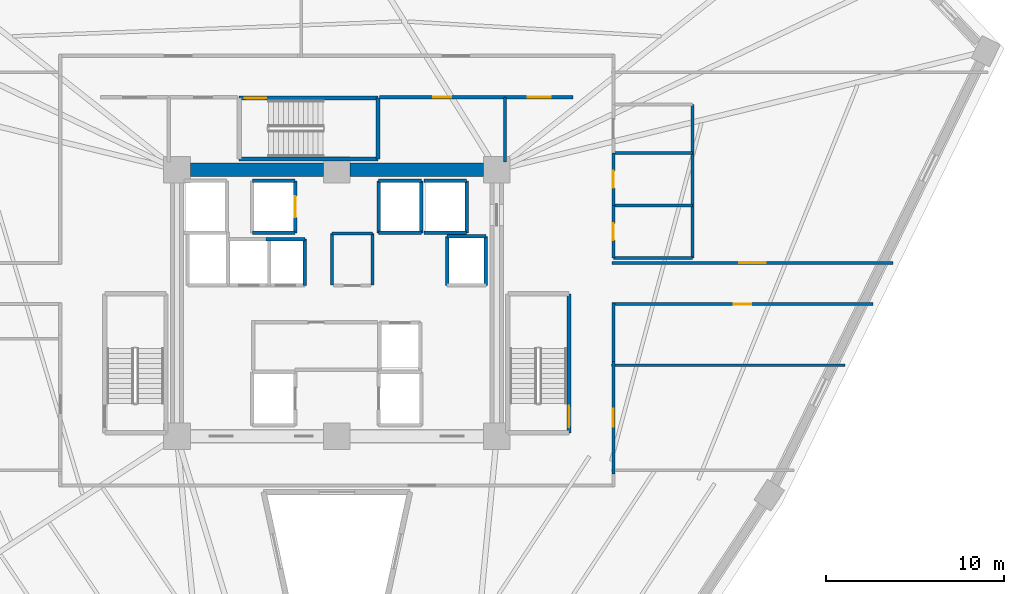
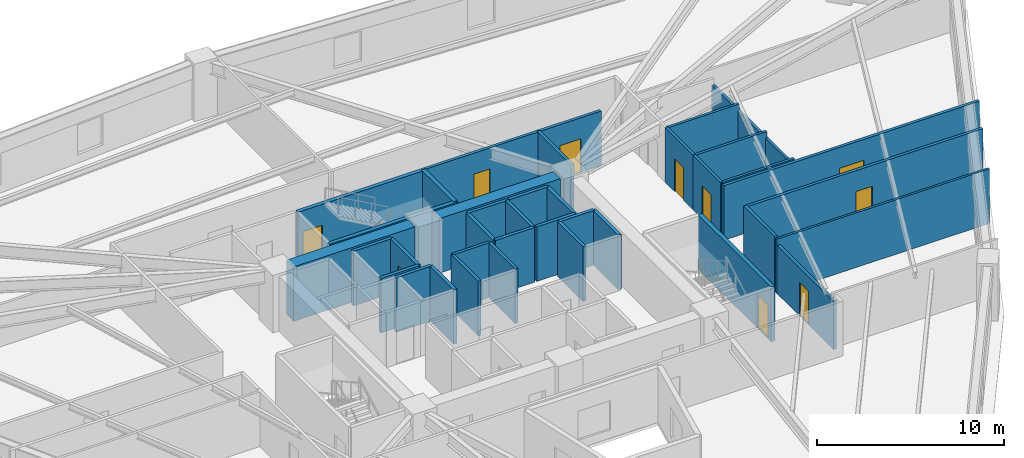
# One storey, part 5 of 7: 38 walls, 10 doors, 10 openings.
"""IFC4 building model written with IfcOpenShell, lengths in metres."""

from ifc_helpers import new_model, si_unit, direction, frame, frame_2d, origin, place, context, subcontext, project, spatial, rectangle, extrude, source, transform, mapped, material, layer, layer_set, type_object, element, fill, save


model = new_model("IFC4")

# Units and contexts
model_context = context("Model", 3, precision=1e-05, world=origin(), true_north=direction((0.0, 1.0)))
body_context = subcontext(model_context, "Body", "Model", "MODEL_VIEW")
ifc_project = project(units=[si_unit("LENGTHUNIT", "METRE"), si_unit("AREAUNIT", "SQUARE_METRE"), si_unit("VOLUMEUNIT", "CUBIC_METRE"), si_unit("PLANEANGLEUNIT", "RADIAN"), si_unit("MASSUNIT", "GRAM", prefix="KILO")], contexts=[model_context])

# Site, building, storey
site_placement = place(None, origin())
site = spatial("IfcSite", under=ifc_project, at=site_placement, CompositionType="ELEMENT")
building_placement = place(site_placement, origin())
building = spatial("IfcBuilding", under=site, at=building_placement, Name="Liaohun Quay Tower", CompositionType="ELEMENT")
storey_placement = place(building_placement, frame((0.0, 0.0, 117.0)))
storey = spatial("IfcBuildingStorey", under=building, at=storey_placement, Name="L30", CompositionType="ELEMENT", Elevation=117.0)

# Walls
ifc_material_1 = material(Name="Concrete C60", Category="concrete")
ifc_layer_1 = layer(ifc_material_1, 0.75, Name="Concrete C60", Category="concrete")
ifc_layer_set_1 = layer_set([ifc_layer_1], Name="Concrete C60")
wall_type_1 = type_object("IfcWallType", Name="WAL-COR-Z2", PredefinedType="SHEAR", material=ifc_layer_set_1)
for number, where, z_axis, x_axis, name in (
    (1, (51.75, 61.5, 0.0), (0.0, 0.0, 1.0), (1.0, 0.0, 0.0), "L30 Central Core Shear Wall N-W"),
    (2, (60.75, 61.5, 0.0), (0.0, 0.0, 1.0), (1.0, 0.0, 0.0), "L30 Central Core Shear Wall N-E"),
):
    element("IfcWall", number, at=place(storey_placement, frame(where, z_axis=z_axis, x_axis=x_axis)), inside=storey, type_object=wall_type_1, Name=name, PredefinedType="SHEAR", context=body_context, shape_type="SweptSolid", body=[
        extrude(rectangle(XDim=7.5, YDim=0.75, at=frame_2d((3.75, 0.0))), origin(), (0.0, 0.0, 1.0), 3.570068359375),
    ])

# Wall, opening, door
ifc_material_2 = material(Name="Autoclaved aerated concrete blockwork", Category="masonry")
ifc_layer_2 = layer(ifc_material_2, 0.179931640625, Name="Autoclaved aerated concrete blockwork", Category="masonry")
ifc_layer_set_2 = layer_set([ifc_layer_2], Name="Autoclaved aerated concrete blockwork")
wall_type_2 = type_object("IfcWallType", Name="WAL-PRT-COR", PredefinedType="PARTITIONING", material=ifc_layer_set_2)
wall_1_placement = place(storey_placement, frame((62.389892578125, 65.580078125, 0.0), z_axis=(0.0, 0.0, 1.0), x_axis=(1.0, 0.0, 0.0)))
wall_1 = element("IfcWall", 3, at=wall_1_placement, inside=storey, type_object=wall_type_2, Name="L30 Interior Partition Wall 007", PredefinedType="PARTITIONING", context=body_context, shape_type="SweptSolid", body=[
    extrude(rectangle(XDim=7.070068359375, YDim=0.179931640625, at=frame_2d((3.53515625, 0.0))), origin(), (0.0, 0.0, 1.0), 3.570068359375),
])
shared_shape_1 = source(origin(), body_context, "Body", "SweptSolid", [
    extrude(rectangle(XDim=1.0, YDim=2.199951171875, at=frame_2d((0.5, 1.10009765625))), frame((0.0, 0.099853515625, 0.0), z_axis=(0.0, -1.0, 0.0), x_axis=(1.0, 0.0, 0.0)), (0.0, 0.0, 1.0), 0.199951171875),
])
opening_1_placement = place(wall_1_placement, frame((3.034912109375, 0.0, 0.0)))
opening_1 = element("IfcOpeningElement", 4, at=opening_1_placement, cuts=wall_1, Name="Opening OD1", PredefinedType="OPENING", context=body_context, shape_type="MappedRepresentation", body=[
    mapped(shared_shape_1, transform((0.0, 0.0, 0.0), x_axis=(1.0, 0.0, 0.0), y_axis=(0.0, 1.0, 0.0), z_axis=(0.0, 0.0, 1.0), scale=1.0)),
])
ifc_material_3 = material(Name="Solid-core oak veneer timber leaf in steel frame", Category="steel")
door_type_1 = type_object("IfcDoorType", Name="DOR-OFF-1000", OperationType="NOTDEFINED", PredefinedType="DOOR", material=ifc_material_3)
shared_shape_2 = source(origin(), body_context, "Body", "SweptSolid", [
    extrude(rectangle(XDim=1.0, YDim=2.199951171875, at=frame_2d((0.5, 1.10009765625))), frame((0.0, 0.02490234375, 0.0), z_axis=(0.0, -1.0, 0.0), x_axis=(1.0, 0.0, 0.0)), (0.0, 0.0, 1.0), 0.050048828125),
])
door_1_placement = place(opening_1_placement, origin())
door_1 = element("IfcDoor", 5, at=door_1_placement, inside=storey, type_object=door_type_1, Name="L30 North-East Archive and Mail Room Door", OperationType="SINGLE_SWING_RIGHT", OverallHeight=2.199951171875, OverallWidth=1.0, PredefinedType="DOOR", context=body_context, shape_type="MappedRepresentation", body=[
    mapped(shared_shape_2, transform((0.0, 0.0, 0.0), x_axis=(1.0, 0.0, 0.0), y_axis=(0.0, 1.0, 0.0), z_axis=(0.0, 0.0, 1.0), scale=1.0)),
])
fill(opening_1, door_1)

wall_2_placement = place(storey_placement, frame((69.4599609375, 65.580078125, 0.0), z_axis=(0.0, 0.0, 1.0), x_axis=(1.0, 0.0, 0.0)))
wall_2 = element("IfcWall", 6, at=wall_2_placement, inside=storey, type_object=wall_type_2, Name="L30 Interior Partition Wall 009", PredefinedType="PARTITIONING", context=body_context, shape_type="SweptSolid", body=[
    extrude(rectangle(XDim=3.840087890625, YDim=0.179931640625, at=frame_2d((1.919921875, 0.0))), origin(), (0.0, 0.0, 1.0), 3.570068359375),
])
shared_shape_3 = source(origin(), body_context, "Body", "SweptSolid", [
    extrude(rectangle(XDim=1.300048828125, YDim=2.199951171875, at=frame_2d((0.64990234375, 1.10009765625))), frame((0.0, 0.099853515625, 0.0), z_axis=(0.0, -1.0, 0.0), x_axis=(1.0, 0.0, 0.0)), (0.0, 0.0, 1.0), 0.199951171875),
])
opening_2_placement = place(wall_2_placement, frame((1.27001953125, 0.0, 0.0)))
opening_2 = element("IfcOpeningElement", 7, at=opening_2_placement, cuts=wall_2, Name="Opening FD1", PredefinedType="OPENING", context=body_context, shape_type="MappedRepresentation", body=[
    mapped(shared_shape_3, transform((0.0, 0.0, 0.0), x_axis=(1.0, 0.0, 0.0), y_axis=(0.0, 1.0, 0.0), z_axis=(0.0, 0.0, 1.0), scale=1.0)),
])
ifc_material_4 = material(Name="Galvanised steel smokeproof fire door", Category="steel")
door_type_2 = type_object("IfcDoorType", Name="DOR-FFL-1300", OperationType="NOTDEFINED", PredefinedType="DOOR", material=ifc_material_4)
shared_shape_4 = source(origin(), body_context, "Body", "SweptSolid", [
    extrude(rectangle(XDim=1.300048828125, YDim=2.199951171875, at=frame_2d((0.64990234375, 1.10009765625))), frame((0.0, 0.02490234375, 0.0), z_axis=(0.0, -1.0, 0.0), x_axis=(1.0, 0.0, 0.0)), (0.0, 0.0, 1.0), 0.050048828125),
])
door_2_placement = place(opening_2_placement, origin())
door_2 = element("IfcDoor", 8, at=door_2_placement, inside=storey, type_object=door_type_2, Name="L30 East Core Vestibule Door", OperationType="SINGLE_SWING_RIGHT", OverallHeight=2.199951171875, OverallWidth=1.300048828125, PredefinedType="DOOR", context=body_context, shape_type="MappedRepresentation", body=[
    mapped(shared_shape_4, transform((0.0, 0.0, 0.0), x_axis=(1.0, 0.0, 0.0), y_axis=(0.0, 1.0, 0.0), z_axis=(0.0, 0.0, 1.0), scale=1.0)),
])
fill(opening_2, door_2)

wall_3_placement = place(storey_placement, frame((75.489990234375, 56.260009765625, 0.0), z_axis=(0.0, 0.0, 1.0), x_axis=(1.0, 0.0, 0.0)))
wall_3 = element("IfcWall", 9, at=wall_3_placement, inside=storey, type_object=wall_type_2, Name="L30 Interior Partition Wall 010", PredefinedType="PARTITIONING", context=body_context, shape_type="SweptSolid", body=[
    extrude(rectangle(XDim=15.81103515625, YDim=0.179931640625, at=frame_2d((7.905517578125, 0.0))), origin(), (0.0, 0.0, 1.0), 3.570068359375),
])
shared_shape_5 = source(origin(), body_context, "Body", "SweptSolid", [
    extrude(rectangle(XDim=1.5, YDim=2.199951171875, at=frame_2d((0.75, 1.10009765625))), frame((0.0, 0.099853515625, 0.0), z_axis=(0.0, -1.0, 0.0), x_axis=(1.0, 0.0, 0.0)), (0.0, 0.0, 1.0), 0.199951171875),
])
opening_3_placement = place(wall_3_placement, frame((7.156005859375, 0.0, 0.0)))
opening_3 = element("IfcOpeningElement", 10, at=opening_3_placement, cuts=wall_3, Name="Opening OD2", PredefinedType="OPENING", context=body_context, shape_type="MappedRepresentation", body=[
    mapped(shared_shape_5, transform((0.0, 0.0, 0.0), x_axis=(1.0, 0.0, 0.0), y_axis=(0.0, 1.0, 0.0), z_axis=(0.0, 0.0, 1.0), scale=1.0)),
])
ifc_material_5 = material(Name="Acoustic oak veneer double door")
door_type_3 = type_object("IfcDoorType", Name="DOR-OFF-1500", OperationType="DOUBLE_DOOR_SINGLE_SWING", PredefinedType="DOOR", material=ifc_material_5)
shared_shape_6 = source(origin(), body_context, "Body", "SweptSolid", [
    extrude(rectangle(XDim=1.5, YDim=2.199951171875, at=frame_2d((0.75, 1.10009765625))), frame((0.0, 0.02490234375, 0.0), z_axis=(0.0, -1.0, 0.0), x_axis=(1.0, 0.0, 0.0)), (0.0, 0.0, 1.0), 0.050048828125),
])
door_3_placement = place(opening_3_placement, origin())
door_3 = element("IfcDoor", 11, at=door_3_placement, inside=storey, type_object=door_type_3, Name="L30 Technical Reference Library 01 Door", OperationType="DOUBLE_DOOR_SINGLE_SWING", OverallHeight=2.199951171875, OverallWidth=1.5, PredefinedType="DOOR", context=body_context, shape_type="MappedRepresentation", body=[
    mapped(shared_shape_6, transform((0.0, 0.0, 0.0), x_axis=(1.0, 0.0, 0.0), y_axis=(0.0, 1.0, 0.0), z_axis=(0.0, 0.0, 1.0), scale=1.0)),
])
fill(opening_3, door_3)

wall_4_placement = place(storey_placement, frame((75.56005859375, 50.715087890625, 0.0), z_axis=(0.0, 0.0, 1.0), x_axis=(0.0, -1.0, 0.0)))
wall_4 = element("IfcWall", 12, at=wall_4_placement, inside=storey, type_object=wall_type_2, Name="L30 Interior Partition Wall 017", PredefinedType="PARTITIONING", context=body_context, shape_type="SweptSolid", body=[
    extrude(rectangle(XDim=6.330078125, YDim=0.179931640625, at=frame_2d((3.1650390625, 0.0))), origin(), (0.0, 0.0, 1.0), 3.155029296875),
])
opening_4_placement = place(wall_4_placement, frame((2.6650390625, 0.0, 0.0)))
opening_4 = element("IfcOpeningElement", 13, at=opening_4_placement, cuts=wall_4, Name="Opening OD1", PredefinedType="OPENING", context=body_context, shape_type="MappedRepresentation", body=[
    mapped(shared_shape_1, transform((0.0, 0.0, 0.0), x_axis=(1.0, 0.0, 0.0), y_axis=(0.0, 1.0, 0.0), z_axis=(0.0, 0.0, 1.0), scale=1.0)),
])
door_4_placement = place(opening_4_placement, origin())
door_4 = element("IfcDoor", 14, at=door_4_placement, inside=storey, type_object=door_type_1, Name="L30 Staff Daycare Nursery 08 Door", OperationType="SINGLE_SWING_RIGHT", OverallHeight=2.199951171875, OverallWidth=1.0, PredefinedType="DOOR", context=body_context, shape_type="MappedRepresentation", body=[
    mapped(shared_shape_2, transform((0.0, 0.0, 0.0), x_axis=(1.0, 0.0, 0.0), y_axis=(0.0, 1.0, 0.0), z_axis=(0.0, 0.0, 1.0), scale=1.0)),
])
fill(opening_4, door_4)

wall_5_placement = place(storey_placement, frame((90.1689453125, 53.93994140625, 0.0), z_axis=(0.0, 0.0, 1.0), x_axis=(-1.0, 0.0, 0.0)))
wall_5 = element("IfcWall", 15, at=wall_5_placement, inside=storey, type_object=wall_type_2, Name="L30 Interior Partition Wall 018", PredefinedType="PARTITIONING", context=body_context, shape_type="SweptSolid", body=[
    extrude(rectangle(XDim=14.678955078125, YDim=0.179931640625, at=frame_2d((7.33935546875, 0.0))), origin(), (0.0, 0.0, 1.0), 3.570068359375),
])
opening_5_placement = place(wall_5_placement, frame((6.840087890625, 0.0, 0.0)))
opening_5 = element("IfcOpeningElement", 16, at=opening_5_placement, cuts=wall_5, Name="Opening OD1", PredefinedType="OPENING", context=body_context, shape_type="MappedRepresentation", body=[
    mapped(shared_shape_1, transform((0.0, 0.0, 0.0), x_axis=(1.0, 0.0, 0.0), y_axis=(0.0, 1.0, 0.0), z_axis=(0.0, 0.0, 1.0), scale=1.0)),
])
door_5_placement = place(opening_5_placement, origin())
door_5 = element("IfcDoor", 17, at=door_5_placement, inside=storey, type_object=door_type_1, Name="L30 Records Archive Store 09 Door", OperationType="SINGLE_SWING_LEFT", OverallHeight=2.199951171875, OverallWidth=1.0, PredefinedType="DOOR", context=body_context, shape_type="MappedRepresentation", body=[
    mapped(shared_shape_2, transform((0.0, 0.0, 0.0), x_axis=(1.0, 0.0, 0.0), y_axis=(0.0, 1.0, 0.0), z_axis=(0.0, 0.0, 1.0), scale=1.0)),
])
fill(opening_5, door_5)

# Walls
for number, where, z_axis, x_axis, name in (
    (18, (59.719970703125, 55.02001953125, 0.0), (0.0, 0.0, 1.0), (0.0, 1.0, 0.0), "L30 Interior Partition Wall 019"),
    (19, (62.010009765625, 55.02001953125, 0.0), (0.0, 0.0, 1.0), (0.0, 1.0, 0.0), "L30 Interior Partition Wall 020"),
):
    element("IfcWall", number, at=place(storey_placement, frame(where, z_axis=z_axis, x_axis=x_axis)), inside=storey, type_object=wall_type_2, Name=name, PredefinedType="PARTITIONING", context=body_context, shape_type="SweptSolid", body=[
        extrude(rectangle(XDim=2.8798828125, YDim=0.179931640625, at=frame_2d((1.43994140625, 0.0))), origin(), (0.0, 0.0, 1.0), 3.570068359375),
    ])
wall_6_placement = place(storey_placement, frame((59.719970703125, 57.919921875, 0.0), z_axis=(0.0, 0.0, 1.0), x_axis=(1.0, 0.0, 0.0)))
element("IfcWall", 20, at=wall_6_placement, inside=storey, type_object=wall_type_2, Name="L30 Interior Partition Wall 021", PredefinedType="PARTITIONING", context=body_context, shape_type="SweptSolid", body=[
    extrude(rectangle(XDim=2.2900390625, YDim=0.179931640625, at=frame_2d((1.14501953125, 0.0))), origin(), (0.0, 0.0, 1.0), 3.570068359375),
])
wall_7_placement = place(storey_placement, frame((69.4599609375, 61.949951171875, 0.0), z_axis=(0.0, 0.0, 1.0), x_axis=(0.0, 1.0, 0.0)))
element("IfcWall", 21, at=wall_7_placement, inside=storey, type_object=wall_type_2, Name="L30 Interior Partition Wall 028", PredefinedType="PARTITIONING", context=body_context, shape_type="SweptSolid", body=[
    extrude(rectangle(XDim=3.630126953125, YDim=0.179931640625, at=frame_2d((1.81494140625, 0.0))), origin(), (0.0, 0.0, 1.0), 3.570068359375),
])
wall_8_placement = place(storey_placement, frame((75.56005859375, 54.010009765625, 0.0), z_axis=(0.0, 0.0, 1.0), x_axis=(0.0, -1.0, 0.0)))
element("IfcWall", 22, at=wall_8_placement, inside=storey, type_object=wall_type_2, Name="L30 Interior Partition Wall 036", PredefinedType="PARTITIONING", context=body_context, shape_type="SweptSolid", body=[
    extrude(rectangle(XDim=3.294921875, YDim=0.179931640625, at=frame_2d((1.6474609375, 0.0))), origin(), (0.0, 0.0, 1.0), 3.570068359375),
])
ifc_material_6 = material(Name="Gypsum board on twin steel studs", Category="steel")
ifc_layer_3 = layer(ifc_material_6, 0.139892578125, Name="Gypsum board on twin steel studs", Category="steel")
ifc_layer_set_3 = layer_set([ifc_layer_3], Name="Gypsum board on twin steel studs")
wall_type_3 = type_object("IfcWallType", Name="WAL-PRT-OFF", PredefinedType="PARTITIONING", material=ifc_layer_set_3)
wall_9_placement = place(storey_placement, frame((75.4599609375, 50.5, 0.0), z_axis=(0.0, 0.0, 1.0), x_axis=(1.0, 0.0, 0.0)))
element("IfcWall", 23, at=wall_9_placement, inside=storey, type_object=wall_type_3, Name="L30 Interior Partition Wall 041", PredefinedType="PARTITIONING", context=body_context, shape_type="SweptSolid", body=[
    extrude(rectangle(XDim=13.137939453125, YDim=0.139892578125, at=frame_2d((6.56884765625, 0.0))), origin(), (0.0, 0.0, 1.0), 3.570068359375),
])

# Wall, opening, door
ifc_material_7 = material(Name="Moisture-resistant masonry blockwork", Category="masonry")
ifc_layer_4 = layer(ifc_material_7, 0.159912109375, Name="Moisture-resistant masonry blockwork", Category="masonry")
ifc_layer_set_4 = layer_set([ifc_layer_4], Name="Moisture-resistant masonry blockwork")
wall_type_4 = type_object("IfcWallType", Name="WAL-PRT-WET", PredefinedType="PARTITIONING", material=ifc_layer_set_4)
wall_10_placement = place(storey_placement, frame((75.56005859375, 56.5400390625, 0.0), z_axis=(0.0, 0.0, 1.0), x_axis=(0.0, 1.0, 0.0)))
wall_10 = element("IfcWall", 24, at=wall_10_placement, inside=storey, type_object=wall_type_4, Name="L30 Interior Partition Wall 003", PredefinedType="PARTITIONING", context=body_context, shape_type="SweptSolid", body=[
    extrude(rectangle(XDim=2.93994140625, YDim=0.159912109375, at=frame_2d((1.469970703125, 0.0))), origin(), (0.0, 0.0, 1.0), 3.570068359375),
])
shared_shape_7 = source(origin(), body_context, "Body", "SweptSolid", [
    extrude(rectangle(XDim=0.949951171875, YDim=2.14990234375, at=frame_2d((0.47509765625, 1.074951171875))), frame((0.0, 0.08984375, 0.0), z_axis=(0.0, -1.0, 0.0), x_axis=(1.0, 0.0, 0.0)), (0.0, 0.0, 1.0), 0.179931640625),
])
opening_6_placement = place(wall_10_placement, frame((0.9951171875, 0.0, 0.0)))
opening_6 = element("IfcOpeningElement", 25, at=opening_6_placement, cuts=wall_10, Name="Opening WD1", PredefinedType="OPENING", context=body_context, shape_type="MappedRepresentation", body=[
    mapped(shared_shape_7, transform((0.0, 0.0, 0.0), x_axis=(1.0, 0.0, 0.0), y_axis=(0.0, 1.0, 0.0), z_axis=(0.0, 0.0, 1.0), scale=1.0)),
])
ifc_material_8 = material(Name="Moisture-resistant laminate timber leaf", Category="wood")
door_type_4 = type_object("IfcDoorType", Name="DOR-WC-950", OperationType="NOTDEFINED", PredefinedType="DOOR", material=ifc_material_8)
shared_shape_8 = source(origin(), body_context, "Body", "SweptSolid", [
    extrude(rectangle(XDim=0.949951171875, YDim=2.14990234375, at=frame_2d((0.47509765625, 1.074951171875))), frame((0.0, 0.02490234375, 0.0), z_axis=(0.0, -1.0, 0.0), x_axis=(1.0, 0.0, 0.0)), (0.0, 0.0, 1.0), 0.050048828125),
])
door_6_placement = place(opening_6_placement, origin())
door_6 = element("IfcDoor", 26, at=door_6_placement, inside=storey, type_object=door_type_4, Name="L30 Male Restroom WC Door", OperationType="SINGLE_SWING_RIGHT", OverallHeight=2.14990234375, OverallWidth=0.949951171875, PredefinedType="DOOR", context=body_context, shape_type="MappedRepresentation", body=[
    mapped(shared_shape_8, transform((0.0, 0.0, 0.0), x_axis=(1.0, 0.0, 0.0), y_axis=(0.0, 1.0, 0.0), z_axis=(0.0, 0.0, 1.0), scale=1.0)),
])
fill(opening_6, door_6)

wall_11_placement = place(storey_placement, frame((75.56005859375, 59.47998046875, 0.0), z_axis=(0.0, 0.0, 1.0), x_axis=(0.0, 1.0, 0.0)))
wall_11 = element("IfcWall", 27, at=wall_11_placement, inside=storey, type_object=wall_type_4, Name="L30 Interior Partition Wall 004", PredefinedType="PARTITIONING", context=body_context, shape_type="SweptSolid", body=[
    extrude(rectangle(XDim=2.9599609375, YDim=0.159912109375, at=frame_2d((1.47998046875, 0.0))), origin(), (0.0, 0.0, 1.0), 3.570068359375),
])
opening_7_placement = place(wall_11_placement, frame((1.0048828125, 0.0, 0.0)))
opening_7 = element("IfcOpeningElement", 28, at=opening_7_placement, cuts=wall_11, Name="Opening WD1", PredefinedType="OPENING", context=body_context, shape_type="MappedRepresentation", body=[
    mapped(shared_shape_7, transform((0.0, 0.0, 0.0), x_axis=(1.0, 0.0, 0.0), y_axis=(0.0, 1.0, 0.0), z_axis=(0.0, 0.0, 1.0), scale=1.0)),
])
door_7_placement = place(opening_7_placement, origin())
door_7 = element("IfcDoor", 29, at=door_7_placement, inside=storey, type_object=door_type_4, Name="L30 Female Restroom WC Door", OperationType="SINGLE_SWING_LEFT", OverallHeight=2.14990234375, OverallWidth=0.949951171875, PredefinedType="DOOR", context=body_context, shape_type="MappedRepresentation", body=[
    mapped(shared_shape_8, transform((0.0, 0.0, 0.0), x_axis=(1.0, 0.0, 0.0), y_axis=(0.0, 1.0, 0.0), z_axis=(0.0, 0.0, 1.0), scale=1.0)),
])
fill(opening_7, door_7)

# Walls
wall_12_placement = place(storey_placement, frame((80.02001953125, 56.5400390625, 0.0), z_axis=(0.0, 0.0, 1.0), x_axis=(0.0, 1.0, 0.0)))
element("IfcWall", 30, at=wall_12_placement, inside=storey, type_object=wall_type_4, Name="L30 Interior Partition Wall 022", PredefinedType="PARTITIONING", context=body_context, shape_type="SweptSolid", body=[
    extrude(rectangle(XDim=8.639892578125, YDim=0.159912109375, at=frame_2d((4.31982421875, 0.0))), origin(), (0.0, 0.0, 1.0), 3.155029296875),
])
for number, where, z_axis, x_axis, name in (
    (31, (75.56005859375, 56.5400390625, 0.0), (0.0, 0.0, 1.0), (1.0, 0.0, 0.0), "L30 Interior Partition Wall 023"),
    (32, (75.56005859375, 59.47998046875, 0.0), (0.0, 0.0, 1.0), (1.0, 0.0, 0.0), "L30 Interior Partition Wall 024"),
    (33, (75.56005859375, 62.43994140625, 0.0), (0.0, 0.0, 1.0), (1.0, 0.0, 0.0), "L30 Interior Partition Wall 025"),
):
    element("IfcWall", number, at=place(storey_placement, frame(where, z_axis=z_axis, x_axis=x_axis)), inside=storey, type_object=wall_type_4, Name=name, PredefinedType="PARTITIONING", context=body_context, shape_type="SweptSolid", body=[
        extrude(rectangle(XDim=4.4599609375, YDim=0.159912109375, at=frame_2d((2.22998046875, 0.0))), origin(), (0.0, 0.0, 1.0), 3.570068359375),
    ])

# Wall, opening, door
ifc_material_9 = material(Name="Concrete C50", Category="concrete")
ifc_layer_5 = layer(ifc_material_9, 0.239990234375, Name="Concrete C50", Category="concrete")
ifc_layer_set_5 = layer_set([ifc_layer_5], Name="Concrete C50")
wall_type_5 = type_object("IfcWallType", Name="WAL-SHF-200", PredefinedType="SOLIDWALL", material=ifc_layer_set_5)
wall_13_placement = place(storey_placement, frame((73.06005859375, 46.699951171875, 0.0), z_axis=(0.0, 0.0, 1.0), x_axis=(0.0, 1.0, 0.0)))
wall_13 = element("IfcWall", 34, at=wall_13_placement, inside=storey, type_object=wall_type_5, Name="L30 Stairwell ST-2 Structural Core Wall E", PredefinedType="SOLIDWALL", context=body_context, shape_type="SweptSolid", body=[
    extrude(rectangle(XDim=7.820068359375, YDim=0.239990234375, at=frame_2d((3.91015625, 0.0))), origin(), (0.0, 0.0, 1.0), 3.570068359375),
])
shared_shape_9 = source(origin(), body_context, "Body", "SweptSolid", [
    extrude(rectangle(XDim=1.199951171875, YDim=2.199951171875, at=frame_2d((0.60009765625, 1.10009765625))), frame((0.0, 0.1298828125, 0.0), z_axis=(0.0, -1.0, 0.0), x_axis=(1.0, 0.0, 0.0)), (0.0, 0.0, 1.0), 0.260009765625),
])
opening_8_placement = place(wall_13_placement, frame((0.320068359375, 0.0, 0.0)))
opening_8 = element("IfcOpeningElement", 35, at=opening_8_placement, cuts=wall_13, Name="Opening SD1", PredefinedType="OPENING", context=body_context, shape_type="MappedRepresentation", body=[
    mapped(shared_shape_9, transform((0.0, 0.0, 0.0), x_axis=(1.0, 0.0, 0.0), y_axis=(0.0, 1.0, 0.0), z_axis=(0.0, 0.0, 1.0), scale=1.0)),
])
ifc_material_10 = material(Name="Galvanised steel fire door", Category="steel")
door_type_5 = type_object("IfcDoorType", Name="DOR-STR-1200", OperationType="NOTDEFINED", PredefinedType="DOOR", material=ifc_material_10)
shared_shape_10 = source(origin(), body_context, "Body", "SweptSolid", [
    extrude(rectangle(XDim=1.199951171875, YDim=2.199951171875, at=frame_2d((0.60009765625, 1.10009765625))), frame((0.0, 0.02490234375, 0.0), z_axis=(0.0, -1.0, 0.0), x_axis=(1.0, 0.0, 0.0)), (0.0, 0.0, 1.0), 0.050048828125),
])
door_8_placement = place(opening_8_placement, origin())
door_8 = element("IfcDoor", 36, at=door_8_placement, inside=storey, type_object=door_type_5, Name="L30 Protected Stair ST-2 Fire Door", OperationType="SINGLE_SWING_RIGHT", OverallHeight=2.199951171875, OverallWidth=1.199951171875, PredefinedType="DOOR", context=body_context, shape_type="MappedRepresentation", body=[
    mapped(shared_shape_10, transform((0.0, 0.0, 0.0), x_axis=(1.0, 0.0, 0.0), y_axis=(0.0, 1.0, 0.0), z_axis=(0.0, 0.0, 1.0), scale=1.0)),
])
fill(opening_8, door_8)

# Walls
wall_14_placement = place(storey_placement, frame((54.5, 62.10009765625, 0.0), z_axis=(0.0, 0.0, 1.0), x_axis=(1.0, 0.0, 0.0)))
element("IfcWall", 37, at=wall_14_placement, inside=storey, type_object=wall_type_5, Name="L30 Stairwell ST-3 Structural Core Wall S", PredefinedType="SOLIDWALL", context=body_context, shape_type="SweptSolid", body=[
    extrude(rectangle(XDim=7.820068359375, YDim=0.239990234375, at=frame_2d((3.91015625, 0.0))), origin(), (0.0, 0.0, 1.0), 3.570068359375),
])
wall_15_placement = place(storey_placement, frame((62.320068359375, 62.10009765625, 0.0), z_axis=(0.0, 0.0, 1.0), x_axis=(0.0, 1.0, 0.0)))
element("IfcWall", 38, at=wall_15_placement, inside=storey, type_object=wall_type_5, Name="L30 Stairwell ST-3 Structural Core Wall E", PredefinedType="SOLIDWALL", context=body_context, shape_type="SweptSolid", body=[
    extrude(rectangle(XDim=3.43994140625, YDim=0.239990234375, at=frame_2d((1.719970703125, 0.0))), origin(), (0.0, 0.0, 1.0), 3.570068359375),
])

# Wall, opening, door
wall_16_placement = place(storey_placement, frame((62.320068359375, 65.5400390625, 0.0), z_axis=(0.0, 0.0, 1.0), x_axis=(-1.0, 0.0, 0.0)))
wall_16 = element("IfcWall", 39, at=wall_16_placement, inside=storey, type_object=wall_type_5, Name="L30 Stairwell ST-3 Structural Core Wall N", PredefinedType="SOLIDWALL", context=body_context, shape_type="SweptSolid", body=[
    extrude(rectangle(XDim=7.820068359375, YDim=0.239990234375, at=frame_2d((3.91015625, 0.0))), origin(), (0.0, 0.0, 1.0), 3.570068359375),
])
opening_9_placement = place(wall_16_placement, frame((6.300048828125, 0.0, 0.0)))
opening_9 = element("IfcOpeningElement", 40, at=opening_9_placement, cuts=wall_16, Name="Opening SD1", PredefinedType="OPENING", context=body_context, shape_type="MappedRepresentation", body=[
    mapped(shared_shape_9, transform((0.0, 0.0, 0.0), x_axis=(1.0, 0.0, 0.0), y_axis=(0.0, 1.0, 0.0), z_axis=(0.0, 0.0, 1.0), scale=1.0)),
])
door_9_placement = place(opening_9_placement, origin())
door_9 = element("IfcDoor", 41, at=door_9_placement, inside=storey, type_object=door_type_5, Name="L30 Protected Stair ST-3 Fire Door", OperationType="SINGLE_SWING_RIGHT", OverallHeight=2.199951171875, OverallWidth=1.199951171875, PredefinedType="DOOR", context=body_context, shape_type="MappedRepresentation", body=[
    mapped(shared_shape_10, transform((0.0, 0.0, 0.0), x_axis=(1.0, 0.0, 0.0), y_axis=(0.0, 1.0, 0.0), z_axis=(0.0, 0.0, 1.0), scale=1.0)),
])
fill(opening_9, door_9)

# Wall
wall_17_placement = place(storey_placement, frame((55.25, 57.949951171875, 0.0), z_axis=(0.0, 0.0, 1.0), x_axis=(1.0, 0.0, 0.0)))
element("IfcWall", 42, at=wall_17_placement, inside=storey, type_object=wall_type_5, Name="L30 Lift FF-03 Hoistway Wall S", PredefinedType="SOLIDWALL", context=body_context, shape_type="SweptSolid", body=[
    extrude(rectangle(XDim=2.39990234375, YDim=0.199951171875, at=frame_2d((1.199951171875, 0.0))), origin(), (0.0, 0.0, 1.0), 3.570068359375),
])

# Wall, opening, door
wall_18_placement = place(storey_placement, frame((57.64990234375, 57.949951171875, 0.0), z_axis=(0.0, 0.0, 1.0), x_axis=(0.0, 1.0, 0.0)))
wall_18 = element("IfcWall", 43, at=wall_18_placement, inside=storey, type_object=wall_type_5, Name="L30 Lift FF-03 Hoistway Wall E", PredefinedType="SOLIDWALL", context=body_context, shape_type="SweptSolid", body=[
    extrude(rectangle(XDim=2.929931640625, YDim=0.199951171875, at=frame_2d((1.46484375, 0.0))), origin(), (0.0, 0.0, 1.0), 3.570068359375),
])
shared_shape_11 = source(origin(), body_context, "Body", "SweptSolid", [
    extrude(rectangle(XDim=1.199951171875, YDim=2.300048828125, at=frame_2d((0.60009765625, 1.14990234375))), frame((0.0, 0.10986328125, 0.0), z_axis=(0.0, -1.0, 0.0), x_axis=(1.0, 0.0, 0.0)), (0.0, 0.0, 1.0), 0.219970703125),
])
opening_10_placement = place(wall_18_placement, frame((0.864990234375, 0.0, 0.0)))
opening_10 = element("IfcOpeningElement", 44, at=opening_10_placement, cuts=wall_18, Name="Opening LD2", PredefinedType="OPENING", context=body_context, shape_type="MappedRepresentation", body=[
    mapped(shared_shape_11, transform((0.0, 0.0, 0.0), x_axis=(1.0, 0.0, 0.0), y_axis=(0.0, 1.0, 0.0), z_axis=(0.0, 0.0, 1.0), scale=1.0)),
])
ifc_material_11 = material(Name="Brushed stainless steel stretcher landing door", Category="steel")
door_type_6 = type_object("IfcDoorType", Name="DOR-LFT-1200", OperationType="SLIDING_TO_LEFT", PredefinedType="DOOR", material=ifc_material_11)
shared_shape_12 = source(origin(), body_context, "Body", "SweptSolid", [
    extrude(rectangle(XDim=1.199951171875, YDim=2.300048828125, at=frame_2d((0.60009765625, 1.14990234375))), frame((0.0, 0.02490234375, 0.0), z_axis=(0.0, -1.0, 0.0), x_axis=(1.0, 0.0, 0.0)), (0.0, 0.0, 1.0), 0.050048828125),
])
door_10_placement = place(opening_10_placement, origin())
door_10 = element("IfcDoor", 45, at=door_10_placement, inside=storey, type_object=door_type_6, Name="L30 Lift FF-03 Sliding Landing Door", OperationType="SLIDING_TO_LEFT", OverallHeight=2.300048828125, OverallWidth=1.199951171875, PredefinedType="DOOR", context=body_context, shape_type="MappedRepresentation", body=[
    mapped(shared_shape_12, transform((0.0, 0.0, 0.0), x_axis=(1.0, 0.0, 0.0), y_axis=(0.0, 1.0, 0.0), z_axis=(0.0, 0.0, 1.0), scale=1.0)),
])
fill(opening_10, door_10)

# Walls
for number, where, z_axis, x_axis, name in (
    (46, (57.64990234375, 60.8798828125, 0.0), (0.0, 0.0, 1.0), (-1.0, 0.0, 0.0), "L30 Lift FF-03 Hoistway Wall N"),
    (47, (62.35009765625, 57.949951171875, 0.0), (0.0, 0.0, 1.0), (1.0, 0.0, 0.0), "L30 Lift OB-01 Hoistway Wall S"),
):
    element("IfcWall", number, at=place(storey_placement, frame(where, z_axis=z_axis, x_axis=x_axis)), inside=storey, type_object=wall_type_5, Name=name, PredefinedType="SOLIDWALL", context=body_context, shape_type="SweptSolid", body=[
        extrude(rectangle(XDim=2.39990234375, YDim=0.199951171875, at=frame_2d((1.199951171875, 0.0))), origin(), (0.0, 0.0, 1.0), 3.570068359375),
    ])
wall_19_placement = place(storey_placement, frame((64.75, 57.949951171875, 0.0), z_axis=(0.0, 0.0, 1.0), x_axis=(0.0, 1.0, 0.0)))
element("IfcWall", 48, at=wall_19_placement, inside=storey, type_object=wall_type_5, Name="L30 Lift OB-01 Hoistway Wall E", PredefinedType="SOLIDWALL", context=body_context, shape_type="SweptSolid", body=[
    extrude(rectangle(XDim=2.929931640625, YDim=0.199951171875, at=frame_2d((1.46484375, 0.0))), origin(), (0.0, 0.0, 1.0), 3.570068359375),
])
wall_20_placement = place(storey_placement, frame((64.75, 60.8798828125, 0.0), z_axis=(0.0, 0.0, 1.0), x_axis=(-1.0, 0.0, 0.0)))
element("IfcWall", 49, at=wall_20_placement, inside=storey, type_object=wall_type_5, Name="L30 Lift OB-01 Hoistway Wall N", PredefinedType="SOLIDWALL", context=body_context, shape_type="SweptSolid", body=[
    extrude(rectangle(XDim=2.39990234375, YDim=0.199951171875, at=frame_2d((1.199951171875, 0.0))), origin(), (0.0, 0.0, 1.0), 3.570068359375),
])
wall_21_placement = place(storey_placement, frame((62.35009765625, 60.8798828125, 0.0), z_axis=(0.0, 0.0, 1.0), x_axis=(0.0, -1.0, 0.0)))
element("IfcWall", 50, at=wall_21_placement, inside=storey, type_object=wall_type_5, Name="L30 Lift OB-01 Hoistway Wall W", PredefinedType="SOLIDWALL", context=body_context, shape_type="SweptSolid", body=[
    extrude(rectangle(XDim=2.929931640625, YDim=0.199951171875, at=frame_2d((1.46484375, 0.0))), origin(), (0.0, 0.0, 1.0), 3.570068359375),
])
wall_22_placement = place(storey_placement, frame((64.89990234375, 57.949951171875, 0.0), z_axis=(0.0, 0.0, 1.0), x_axis=(1.0, 0.0, 0.0)))
element("IfcWall", 51, at=wall_22_placement, inside=storey, type_object=wall_type_5, Name="L30 Lift OB-02 Hoistway Wall S", PredefinedType="SOLIDWALL", context=body_context, shape_type="SweptSolid", body=[
    extrude(rectangle(XDim=2.400146484375, YDim=0.199951171875, at=frame_2d((1.2001953125, 0.0))), origin(), (0.0, 0.0, 1.0), 3.570068359375),
])
wall_23_placement = place(storey_placement, frame((67.300048828125, 57.949951171875, 0.0), z_axis=(0.0, 0.0, 1.0), x_axis=(0.0, 1.0, 0.0)))
element("IfcWall", 52, at=wall_23_placement, inside=storey, type_object=wall_type_5, Name="L30 Lift OB-02 Hoistway Wall E", PredefinedType="SOLIDWALL", context=body_context, shape_type="SweptSolid", body=[
    extrude(rectangle(XDim=2.929931640625, YDim=0.199951171875, at=frame_2d((1.46484375, 0.0))), origin(), (0.0, 0.0, 1.0), 3.570068359375),
])
wall_24_placement = place(storey_placement, frame((67.300048828125, 60.8798828125, 0.0), z_axis=(0.0, 0.0, 1.0), x_axis=(-1.0, 0.0, 0.0)))
element("IfcWall", 53, at=wall_24_placement, inside=storey, type_object=wall_type_5, Name="L30 Lift OB-02 Hoistway Wall N", PredefinedType="SOLIDWALL", context=body_context, shape_type="SweptSolid", body=[
    extrude(rectangle(XDim=2.400146484375, YDim=0.199951171875, at=frame_2d((1.2001953125, 0.0))), origin(), (0.0, 0.0, 1.0), 3.570068359375),
])
wall_25_placement = place(storey_placement, frame((68.3798828125, 55.0, 0.0), z_axis=(0.0, 0.0, 1.0), x_axis=(0.0, 1.0, 0.0)))
element("IfcWall", 54, at=wall_25_placement, inside=storey, type_object=wall_type_5, Name="L30 Lift SH-03 Hoistway Wall E", PredefinedType="SOLIDWALL", context=body_context, shape_type="SweptSolid", body=[
    extrude(rectangle(XDim=2.75, YDim=0.199951171875, at=frame_2d((1.375, 0.0))), origin(), (0.0, 0.0, 1.0), 3.570068359375),
])
wall_26_placement = place(storey_placement, frame((68.3798828125, 57.75, 0.0), z_axis=(0.0, 0.0, 1.0), x_axis=(-1.0, 0.0, 0.0)))
element("IfcWall", 55, at=wall_26_placement, inside=storey, type_object=wall_type_5, Name="L30 Lift SH-03 Hoistway Wall N", PredefinedType="SOLIDWALL", context=body_context, shape_type="SweptSolid", body=[
    extrude(rectangle(XDim=2.179931640625, YDim=0.199951171875, at=frame_2d((1.08984375, 0.0))), origin(), (0.0, 0.0, 1.0), 3.570068359375),
])
wall_27_placement = place(storey_placement, frame((66.199951171875, 57.75, 0.0), z_axis=(0.0, 0.0, 1.0), x_axis=(0.0, -1.0, 0.0)))
element("IfcWall", 56, at=wall_27_placement, inside=storey, type_object=wall_type_5, Name="L30 Lift SH-03 Hoistway Wall W", PredefinedType="SOLIDWALL", context=body_context, shape_type="SweptSolid", body=[
    extrude(rectangle(XDim=2.75, YDim=0.199951171875, at=frame_2d((1.375, 0.0))), origin(), (0.0, 0.0, 1.0), 3.570068359375),
])
wall_28_placement = place(storey_placement, frame((58.199951171875, 55.0, 0.0), z_axis=(0.0, 0.0, 1.0), x_axis=(0.0, 1.0, 0.0)))
element("IfcWall", 57, at=wall_28_placement, inside=storey, type_object=wall_type_5, Name="L30 Lift PL-2C Hoistway Wall E", PredefinedType="SOLIDWALL", context=body_context, shape_type="SweptSolid", body=[
    extrude(rectangle(XDim=2.60009765625, YDim=0.199951171875, at=frame_2d((1.300048828125, 0.0))), origin(), (0.0, 0.0, 1.0), 3.570068359375),
])
wall_29_placement = place(storey_placement, frame((58.199951171875, 57.60009765625, 0.0), z_axis=(0.0, 0.0, 1.0), x_axis=(-1.0, 0.0, 0.0)))
element("IfcWall", 58, at=wall_29_placement, inside=storey, type_object=wall_type_5, Name="L30 Lift PL-2C Hoistway Wall N", PredefinedType="SOLIDWALL", context=body_context, shape_type="SweptSolid", body=[
    extrude(rectangle(XDim=2.199951171875, YDim=0.199951171875, at=frame_2d((1.10009765625, 0.0))), origin(), (0.0, 0.0, 1.0), 3.570068359375),
])

save(model, "model.ifc")
